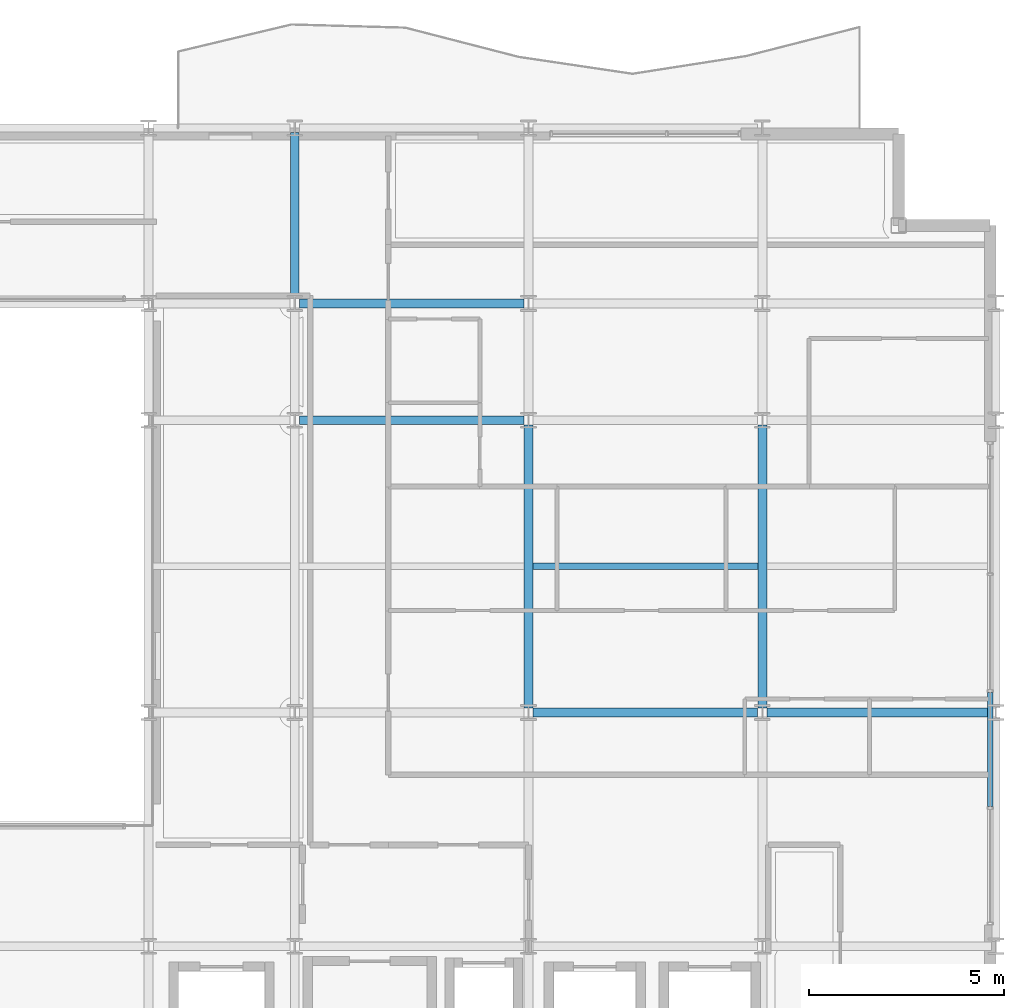
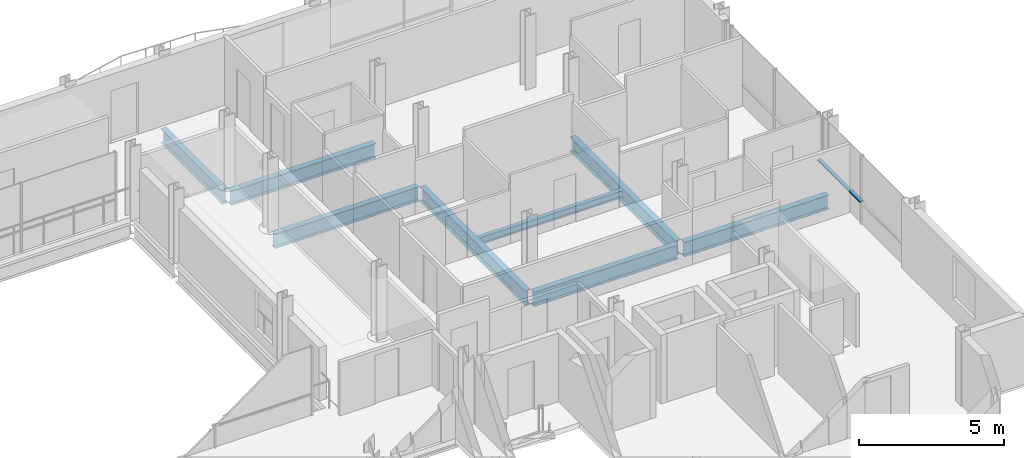
# One storey, part 20 of 41: 8 beams, 1 member, 1 element without a shape of its own.
"""IFC4 building model written with IfcOpenShell, lengths in metres."""

from ifc_helpers import new_model, si_unit, direction, frame, origin, origin_2d, place, context, subcontext, project, spatial, hollow_rectangle, i_section, extrude, material, layer, layer_set, material_profile, profile_set, type_object, element, aggregate, save


model = new_model("IFC4")

# Units and contexts
model_context = context("Model", 3, precision=1e-05, world=origin(), true_north=direction((0.0, 1.0)))
body_context = subcontext(model_context, "Body", "Model", "MODEL_VIEW")
ifc_project = project(units=[si_unit("LENGTHUNIT", "METRE"), si_unit("AREAUNIT", "SQUARE_METRE"), si_unit("VOLUMEUNIT", "CUBIC_METRE"), si_unit("PLANEANGLEUNIT", "RADIAN"), si_unit("MASSUNIT", "GRAM", prefix="KILO")], contexts=[model_context])

# Site, building, storey
site_placement = place(None, origin())
site = spatial("IfcSite", under=ifc_project, at=site_placement, CompositionType="ELEMENT")
building_placement = place(site_placement, origin())
building = spatial("IfcBuilding", under=site, at=building_placement, Name="Brevholm Reach", CompositionType="ELEMENT")
storey_placement = place(building_placement, frame((0.0, 0.0, 169.699951171875)))
storey = spatial("IfcBuildingStorey", under=building, at=storey_placement, Name="L51", CompositionType="ELEMENT", Elevation=169.699951171875)

# Beams
ifc_material_1 = material(Name="Structural Steel S355J2", Category="steel")
ifc_material_profile_1 = material_profile(ifc_material_1, i_section(OverallWidth=0.1650390625, OverallDepth=0.303466796875, WebThickness=0.006103515625, FlangeThickness=0.01025390625, FilletRadius=0.0087890625, at=origin_2d()), Name="UKB 305x165x40")
ifc_profile_set_1 = profile_set([ifc_material_profile_1], Name="Structural Steel S355J2")
beam_type_1 = type_object("IfcBeamType", Name="BM-B305", PredefinedType="BEAM", material=ifc_profile_set_1)
beam_1_placement = place(storey_placement, frame((48.114501953125, 19.75, -0.37158203125), z_axis=(1.0, 0.0, 0.0), x_axis=(0.0, 1.0, 0.0)))
element("IfcBeam", 1, at=beam_1_placement, inside=storey, type_object=beam_type_1, Name="L51 Composite Secondary Floor Beam", PredefinedType="BEAM", context=body_context, shape_type="SweptSolid", body=[
    extrude(i_section(OverallWidth=0.1650390625, OverallDepth=0.303466796875, WebThickness=0.006103515625, FlangeThickness=0.01025390625, FilletRadius=0.0087890625, at=origin_2d()), origin(), (0.0, 0.0, 1.0), 5.77099609375),
])
ifc_material_2 = material(Name="Structural Steel S355J2", Category="steel")
ifc_material_profile_2 = material_profile(ifc_material_2, i_section(OverallWidth=0.22900390625, OverallDepth=0.6123046875, WebThickness=0.011962890625, FlangeThickness=0.01953125, FilletRadius=0.0126953125, at=origin_2d()), Name="UKB 610x229x125")
ifc_profile_set_2 = profile_set([ifc_material_profile_2], Name="Structural Steel S355J2")
beam_type_2 = type_object("IfcBeamType", Name="BM-SP610", PredefinedType="SPANDREL", material=ifc_profile_set_2)
for number, where, z_axis, x_axis, name in (
    (2, (48.1201171875, 16.0, -0.526123046875), (1.0, 0.0, 0.0), (0.0, 1.0, 0.0), "L51 SP-01 Framing Beam"),
    (3, (54.1201171875, 16.0, -0.526123046875), (1.0, 0.0, 0.0), (0.0, 1.0, 0.0), "L51 SP-01 Framing Beam"),
    (4, (42.1201171875, 23.5, -0.526123046875), (1.0, 0.0, 0.0), (0.0, 1.0, 0.0), "L51 SP-01 Framing Beam"),
    (5, (42.1201171875, 26.5, -0.526123046875), (1.0, 0.0, 0.0), (0.0, 1.0, 0.0), "L51 SP-01 Framing Beam"),
):
    element("IfcBeam", number, at=place(storey_placement, frame(where, z_axis=z_axis, x_axis=x_axis)), inside=storey, type_object=beam_type_2, Name=name, PredefinedType="SPANDREL", context=body_context, shape_type="SweptSolid", body=[
        extrude(i_section(OverallWidth=0.22900390625, OverallDepth=0.6123046875, WebThickness=0.011962890625, FlangeThickness=0.01953125, FilletRadius=0.0126953125, at=origin_2d()), origin(), (0.0, 0.0, 1.0), 5.759765625),
    ])
beam_2_placement = place(storey_placement, frame((42.0, 26.6201171875, -0.526123046875), z_axis=(0.0, 1.0, 0.0), x_axis=(-1.0, 0.0, 0.0)))
element("IfcBeam", 6, at=beam_2_placement, inside=storey, type_object=beam_type_2, Name="L51 SP-01 Framing Beam", PredefinedType="SPANDREL", context=body_context, shape_type="SweptSolid", body=[
    extrude(i_section(OverallWidth=0.22900390625, OverallDepth=0.6123046875, WebThickness=0.011962890625, FlangeThickness=0.01953125, FilletRadius=0.0126953125, at=origin_2d()), origin(), (0.0, 0.0, 1.0), 4.259765625),
])
for number, where, z_axis, x_axis, name in (
    (7, (48.0, 16.1201171875, -0.526123046875), (0.0, 1.0, 0.0), (-1.0, 0.0, 0.0), "L51 SP-01 Framing Beam"),
    (8, (54.0, 16.1201171875, -0.526123046875), (0.0, 1.0, 0.0), (-1.0, 0.0, 0.0), "L51 SP-01 Framing Beam"),
):
    element("IfcBeam", number, at=place(storey_placement, frame(where, z_axis=z_axis, x_axis=x_axis)), inside=storey, type_object=beam_type_2, Name=name, PredefinedType="SPANDREL", context=body_context, shape_type="SweptSolid", body=[
        extrude(i_section(OverallWidth=0.22900390625, OverallDepth=0.6123046875, WebThickness=0.011962890625, FlangeThickness=0.01953125, FilletRadius=0.0126953125, at=origin_2d()), origin(), (0.0, 0.0, 1.0), 7.259765625),
    ])

# Curtain wall, member
ifc_material_3 = material(Name="Dark Anodised Aluminium 6063-T6 and Solar-Control Glass", Category="aluminium")
ifc_layer = layer(ifc_material_3, 0.14990234375)
ifc_layer_set = layer_set([ifc_layer], Name="Dark Anodised Aluminium 6063-T6 and Solar-Control Glass")
curtain_wall_type = type_object("IfcCurtainWallType", Name="CW-01", PredefinedType="NOTDEFINED", material=ifc_layer_set)
curtain_wall_placement = place(storey_placement, origin())
curtain_wall = element("IfcCurtainWall", 9, at=curtain_wall_placement, inside=storey, type_object=curtain_wall_type, Name="L51 Curtain Wall CW-01", PredefinedType="NOTDEFINED")
ifc_material_4 = material(Name="Dark Anodised Aluminium 6063-T6", Category="aluminium")
ifc_material_profile_3 = material_profile(ifc_material_4, hollow_rectangle(XDim=0.06494140625, YDim=0.14990234375, WallThickness=0.0048828125, InnerFilletRadius=0.0048828125, OuterFilletRadius=0.010009765625, at=origin_2d()), Name="RHS 150x65x5")
ifc_profile_set_3 = profile_set([ifc_material_profile_3], Name="Dark Anodised Aluminium 6063-T6")
member_type = type_object("IfcMemberType", Name="CWT-150", PredefinedType="NOTDEFINED", material=ifc_profile_set_3)
member_placement = place(storey_placement, frame((59.85009765625, 13.58251953125, 0.900146484375), z_axis=(0.0, 1.0, 0.0), x_axis=(0.0, 0.0, 1.0)))
member = element("IfcMember", 10, at=member_placement, type_object=member_type, Name="CT-150 Transom 2.1", ObjectType="TRANSOM", PredefinedType="USERDEFINED", context=body_context, shape_type="SweptSolid", body=[
    extrude(hollow_rectangle(XDim=0.06494140625, YDim=0.14990234375, WallThickness=0.0048828125, InnerFilletRadius=0.0048828125, OuterFilletRadius=0.010009765625, at=origin_2d()), origin(), (0.0, 0.0, 1.0), 2.93505859375),
])
aggregate(curtain_wall, [member])

save(model, "model.ifc")
